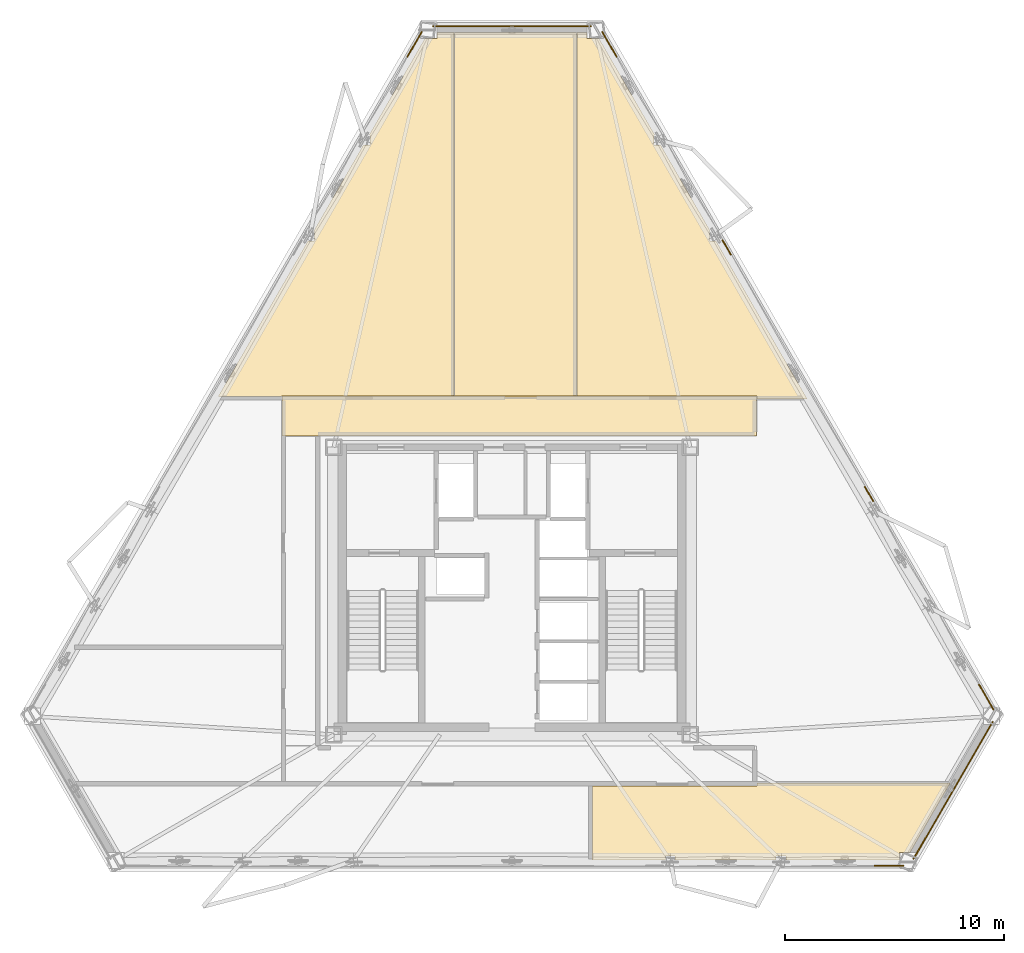
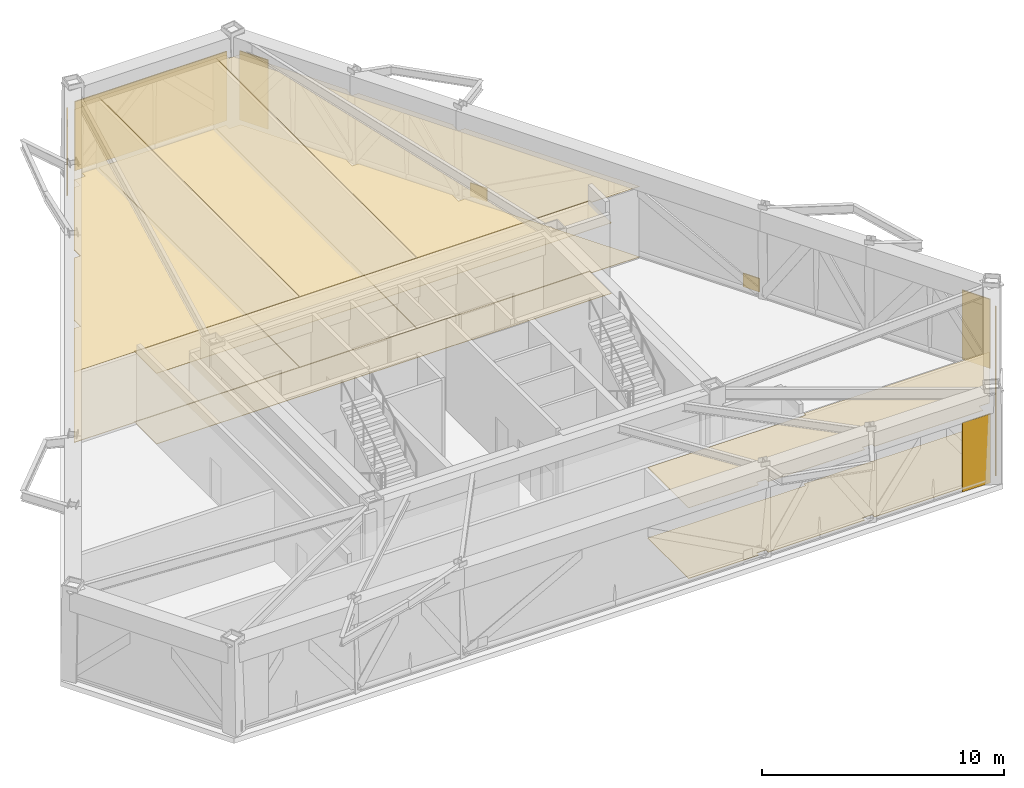
# One storey, part 10 of 10: 18 coverings.
"""IFC4 building model written with IfcOpenShell, lengths in metres."""

from ifc_helpers import new_model, si_unit, direction, frame, origin, origin_2d, place, context, subcontext, project, spatial, polyline, rectangle, outline, extrude, material, layer, layer_set, type_object, element, save


model = new_model("IFC4")

# Units and contexts
model_context = context("Model", 3, precision=1e-05, world=origin(), true_north=direction((0.0, 1.0)))
body_context = subcontext(model_context, "Body", "Model", "MODEL_VIEW")
ifc_project = project(units=[si_unit("LENGTHUNIT", "METRE"), si_unit("AREAUNIT", "SQUARE_METRE"), si_unit("VOLUMEUNIT", "CUBIC_METRE"), si_unit("PLANEANGLEUNIT", "RADIAN"), si_unit("MASSUNIT", "GRAM", prefix="KILO")], contexts=[model_context])

# Site, building, storey
site_placement = place(None, origin())
site = spatial("IfcSite", under=ifc_project, at=site_placement, CompositionType="ELEMENT")
building_placement = place(site_placement, origin())
building = spatial("IfcBuilding", under=site, at=building_placement, Name="Oramaril Tower", CompositionType="ELEMENT")
storey_placement = place(building_placement, frame((0.0, 0.0, 189.0)))
storey = spatial("IfcBuildingStorey", under=building, at=storey_placement, Name="L50", CompositionType="ELEMENT", Elevation=189.0)

# Coverings
ifc_material_1 = material(Name="Mineral Fibre Acoustic Ceiling")
ifc_layer_1 = layer(ifc_material_1, 0.02001953125)
ifc_layer_set_1 = layer_set([ifc_layer_1], Name="CVT-CEIL")
covering_type_1 = type_object("IfcCoveringType", Name="CVT-CEIL", PredefinedType="CEILING", material=ifc_layer_set_1)
covering_1_placement = place(storey_placement, frame((0.0, 0.0, 3.56201171875)))
element("IfcCovering", 1, at=covering_1_placement, inside=storey, type_object=covering_type_1, Name="L50 Acoustic Suspended Ceiling 2", PredefinedType="CEILING", context=body_context, shape_type="SweptSolid", body=[
    extrude(outline(polyline([(48.679931640625, 26.47998046875), (48.679931640625, 24.669921875), (26.969970703125, 24.669921875), (26.969970703125, 26.47998046875), (48.679931640625, 26.47998046875)])), origin(), (0.0, 0.0, 1.0), 0.02001953125),
])
covering_2_placement = place(storey_placement, frame((0.0, 0.0, 3.56201171875)))
element("IfcCovering", 2, at=covering_2_placement, inside=storey, type_object=covering_type_1, Name="L50 Acoustic Suspended Ceiling 5", PredefinedType="CEILING", context=body_context, shape_type="SweptSolid", body=[
    extrude(outline(polyline([(50.039306640625, 5.461181640625), (49.580078125, 5.461181640625), (49.580078125, 5.279296875), (44.96630859375, 5.279296875), (44.96630859375, 5.461181640625), (44.515380859375, 5.461181640625), (44.515380859375, 5.279296875), (41.162109375, 5.279296875), (41.162109375, 8.64990234375), (48.679931640625, 8.64990234375), (48.681884765625, 8.650146484375), (48.683837890625, 8.650390625), (48.685791015625, 8.65087890625), (48.687744140625, 8.651611328125), (48.689453125, 8.65234375), (48.691162109375, 8.6533203125), (48.692626953125, 8.654541015625), (48.694091796875, 8.656005859375), (48.695556640625, 8.6572265625), (48.696533203125, 8.658935546875), (48.697509765625, 8.66064453125), (48.698486328125, 8.662353515625), (48.69921875, 8.664306640625), (48.69970703125, 8.666015625), (48.699951171875, 8.66796875), (48.699951171875, 8.669921875), (48.699951171875, 8.7919921875), (57.55322265625, 8.7919921875), (55.717041015625, 5.61181640625), (55.217529296875, 5.61181640625), (55.217529296875, 5.279296875), (50.039306640625, 5.279296875), (50.039306640625, 5.461181640625)])), origin(), (0.0, 0.0, 1.0), 0.02001953125),
])
covering_3_placement = place(storey_placement, frame((0.0, 0.0, 3.56201171875)))
element("IfcCovering", 3, at=covering_3_placement, inside=storey, type_object=covering_type_1, Name="L50 Acoustic Suspended Ceiling 8", PredefinedType="CEILING", context=body_context, shape_type="SweptSolid", body=[
    extrude(outline(polyline([(28.475341796875, 33.585693359375), (28.475341796875, 34.049560546875), (28.440185546875, 34.049560546875), (30.708984375, 37.97900390625), (31.01171875, 37.97900390625), (31.01171875, 38.435546875), (30.97265625, 38.435546875), (33.520751953125, 42.84912109375), (34.06103515625, 42.84912109375), (34.06103515625, 43.12060546875), (34.842041015625, 43.12060546875), (34.842041015625, 26.5), (26.969970703125, 26.5), (26.968017578125, 26.5), (26.966064453125, 26.49951171875), (26.964111328125, 26.4990234375), (26.96240234375, 26.49853515625), (26.960693359375, 26.49755859375), (26.958984375, 26.49658203125), (26.957275390625, 26.49560546875), (26.955810546875, 26.494140625), (26.95458984375, 26.49267578125), (26.953369140625, 26.4912109375), (26.952392578125, 26.489501953125), (26.951416015625, 26.48779296875), (26.950927734375, 26.48583984375), (26.950439453125, 26.48388671875), (26.9501953125, 26.48193359375), (26.949951171875, 26.47998046875), (26.949951171875, 26.4619140625), (24.059814453125, 26.4619140625), (28.172607421875, 33.585693359375), (28.475341796875, 33.585693359375)])), origin(), (0.0, 0.0, 1.0), 0.02001953125),
])
covering_4_placement = place(storey_placement, frame((0.0, 0.0, 3.56201171875)))
element("IfcCovering", 4, at=covering_4_placement, inside=storey, type_object=covering_type_1, Name="L50 Acoustic Suspended Ceiling 9", PredefinedType="CEILING", context=body_context, shape_type="SweptSolid", body=[
    extrude(outline(polyline([(40.44189453125, 43.12060546875), (40.44189453125, 26.5), (34.862060546875, 26.5), (34.862060546875, 43.12060546875), (40.44189453125, 43.12060546875)])), origin(), (0.0, 0.0, 1.0), 0.02001953125),
])
covering_5_placement = place(storey_placement, frame((0.0, 0.0, 3.56201171875)))
element("IfcCovering", 5, at=covering_5_placement, inside=storey, type_object=covering_type_1, Name="L50 Acoustic Suspended Ceiling 10", PredefinedType="CEILING", context=body_context, shape_type="SweptSolid", body=[
    extrude(outline(polyline([(40.93896484375, 43.12060546875), (40.93896484375, 42.84912109375), (41.479248046875, 42.84912109375), (44.02734375, 38.435546875), (43.98828125, 38.435546875), (43.98828125, 37.97900390625), (44.291015625, 37.97900390625), (46.559814453125, 34.049560546875), (46.524658203125, 34.049560546875), (46.524658203125, 33.585693359375), (46.827392578125, 33.585693359375), (51.00048828125, 26.35791015625), (48.699951171875, 26.35791015625), (48.699951171875, 26.47998046875), (48.699951171875, 26.48193359375), (48.69970703125, 26.48388671875), (48.69921875, 26.48583984375), (48.698486328125, 26.48779296875), (48.697509765625, 26.489501953125), (48.696533203125, 26.4912109375), (48.695556640625, 26.49267578125), (48.694091796875, 26.494140625), (48.692626953125, 26.49560546875), (48.691162109375, 26.49658203125), (48.689453125, 26.49755859375), (48.687744140625, 26.49853515625), (48.685791015625, 26.4990234375), (48.683837890625, 26.49951171875), (48.681884765625, 26.5), (48.679931640625, 26.5), (40.4619140625, 26.5), (40.4619140625, 43.12060546875), (40.93896484375, 43.12060546875)])), origin(), (0.0, 0.0, 1.0), 0.02001953125),
])
ifc_material_2 = material(Name="Warm Cream Limestone", Category="masonry")
ifc_layer_2 = layer(ifc_material_2, 0.050048828125)
ifc_layer_set_2 = layer_set([ifc_layer_2], Name="CVT-CLD")
covering_type_2 = type_object("IfcCoveringType", Name="CVT-CLD", PredefinedType="CLADDING", material=ifc_layer_set_2)
covering_6_placement = place(storey_placement, frame((54.737548828125, 5.00341796875, 0.0400390625), z_axis=(0.0, 0.0, 1.0), x_axis=(1.0, 0.0, 0.0)))
element("IfcCovering", 6, at=covering_6_placement, inside=storey, type_object=covering_type_2, Name="L50 Warm Cream Limestone Cladding", PredefinedType="CLADDING", context=body_context, shape_type="SweptSolid", body=[
    extrude(rectangle(XDim=1.35009765625, YDim=0.050048828125, at=origin_2d()), origin(), (0.0, 0.0, 1.0), 3.489990234375),
])
covering_7_placement = place(storey_placement, frame((57.67529296875, 8.451904296875, 0.0400390625), z_axis=(0.0, 0.0, 1.0), x_axis=(0.4999984885, 0.866026276448, 0.0)))
element("IfcCovering", 7, at=covering_7_placement, inside=storey, type_object=covering_type_2, Name="L50 Warm Cream Limestone Cladding", PredefinedType="CLADDING", context=body_context, shape_type="SweptSolid", body=[
    extrude(rectangle(XDim=7.26953125, YDim=0.050048828125, at=origin_2d()), origin(), (0.0, 0.0, 1.0), 3.489990234375),
])
for number, where, z_axis, x_axis, name in (
    (8, (59.19287109375, 12.72021484375, 0.0400390625), (0.0, 0.0, 1.0), (-0.5, 0.866025403784, 0.0), "L50 Warm Cream Limestone Cladding"),
    (9, (41.955322265625, 42.576416015625, 0.0400390625), (0.0, 0.0, 1.0), (-0.5, 0.866025403784, 0.0), "L50 Warm Cream Limestone Cladding"),
):
    element("IfcCovering", number, at=place(storey_placement, frame(where, z_axis=z_axis, x_axis=x_axis)), inside=storey, type_object=covering_type_2, Name=name, PredefinedType="CLADDING", context=body_context, shape_type="SweptSolid", body=[
        extrude(rectangle(XDim=1.35009765625, YDim=0.050048828125, at=origin_2d()), origin(), (0.0, 0.0, 1.0), 3.489990234375),
    ])
for number, where, z_axis, x_axis, name in (
    (10, (53.829833984375, 22.00927734375, 0.0400390625), (0.0, 0.0, 1.0), (-0.5, 0.866025403784, 0.0), "L50 Warm Cream Limestone Spandrel Cladding"),
    (11, (47.318359375, 33.28759765625, 0.0400390625), (0.0, 0.0, 1.0), (-0.5, 0.866025403784, 0.0), "L50 Warm Cream Limestone Spandrel Cladding"),
):
    element("IfcCovering", number, at=place(storey_placement, frame(where, z_axis=z_axis, x_axis=x_axis)), inside=storey, type_object=covering_type_2, Name=name, PredefinedType="CLADDING", context=body_context, shape_type="SweptSolid", body=[
        extrude(rectangle(XDim=0.800048828125, YDim=0.050048828125, at=origin_2d()), origin(), (0.0, 0.0, 1.0), 0.679931640625),
    ])
covering_8_placement = place(storey_placement, frame((37.5, 43.396484375, 0.0400390625), z_axis=(0.0, 0.0, 1.0), x_axis=(-1.0, 0.0, 0.0)))
element("IfcCovering", 12, at=covering_8_placement, inside=storey, type_object=covering_type_2, Name="L50 Warm Cream Limestone Cladding", PredefinedType="CLADDING", context=body_context, shape_type="SweptSolid", body=[
    extrude(rectangle(XDim=7.26953125, YDim=0.050048828125, at=origin_2d()), origin(), (0.0, 0.0, 1.0), 3.489990234375),
])
covering_9_placement = place(storey_placement, frame((33.044677734375, 42.576416015625, 0.0400390625), z_axis=(0.0, 0.0, 1.0), x_axis=(-0.5, -0.866025403784, 0.0)))
element("IfcCovering", 13, at=covering_9_placement, inside=storey, type_object=covering_type_2, Name="L50 Warm Cream Limestone Cladding", PredefinedType="CLADDING", context=body_context, shape_type="SweptSolid", body=[
    extrude(rectangle(XDim=1.35009765625, YDim=0.050048828125, at=origin_2d()), origin(), (0.0, 0.0, 1.0), 3.489990234375),
])
ifc_material_3 = material(Name="Honed Quartzite Stone Flooring", Category="masonry")
ifc_layer_3 = layer(ifc_material_3, 0.02490234375)
ifc_layer_set_3 = layer_set([ifc_layer_3], Name="CVT-FLR")
covering_type_3 = type_object("IfcCoveringType", Name="CVT-FLR", PredefinedType="FLOORING", material=ifc_layer_set_3)
covering_10_placement = place(storey_placement, origin())
element("IfcCovering", 14, at=covering_10_placement, inside=storey, type_object=covering_type_3, Name="L50 Honed Stone Floor Finish 2", PredefinedType="FLOORING", context=body_context, shape_type="SweptSolid", body=[
    extrude(outline(polyline([(48.679931640625, 26.47998046875), (48.679931640625, 24.669921875), (26.969970703125, 24.669921875), (26.969970703125, 26.47998046875), (48.679931640625, 26.47998046875)])), origin(), (0.0, 0.0, 1.0), 0.02490234375),
])
covering_11_placement = place(storey_placement, origin())
element("IfcCovering", 15, at=covering_11_placement, inside=storey, type_object=covering_type_3, Name="L50 Honed Stone Floor Finish 5", PredefinedType="FLOORING", context=body_context, shape_type="SweptSolid", body=[
    extrude(outline(polyline([(50.039306640625, 5.461181640625), (49.580078125, 5.461181640625), (49.580078125, 5.279296875), (44.96630859375, 5.279296875), (44.96630859375, 5.461181640625), (44.515380859375, 5.461181640625), (44.515380859375, 5.279296875), (41.162109375, 5.279296875), (41.162109375, 8.64990234375), (48.679931640625, 8.64990234375), (48.681884765625, 8.650146484375), (48.683837890625, 8.650390625), (48.685791015625, 8.65087890625), (48.687744140625, 8.651611328125), (48.689453125, 8.65234375), (48.691162109375, 8.6533203125), (48.692626953125, 8.654541015625), (48.694091796875, 8.656005859375), (48.695556640625, 8.6572265625), (48.696533203125, 8.658935546875), (48.697509765625, 8.66064453125), (48.698486328125, 8.662353515625), (48.69921875, 8.664306640625), (48.69970703125, 8.666015625), (48.699951171875, 8.66796875), (48.699951171875, 8.669921875), (48.699951171875, 8.7919921875), (57.55322265625, 8.7919921875), (55.717041015625, 5.61181640625), (55.217529296875, 5.61181640625), (55.217529296875, 5.279296875), (50.039306640625, 5.279296875), (50.039306640625, 5.461181640625)])), origin(), (0.0, 0.0, 1.0), 0.02490234375),
])
covering_12_placement = place(storey_placement, origin())
element("IfcCovering", 16, at=covering_12_placement, inside=storey, type_object=covering_type_3, Name="L50 Honed Stone Floor Finish 8", PredefinedType="FLOORING", context=body_context, shape_type="SweptSolid", body=[
    extrude(outline(polyline([(28.475341796875, 33.585693359375), (28.475341796875, 34.049560546875), (28.440185546875, 34.049560546875), (30.708984375, 37.97900390625), (31.01171875, 37.97900390625), (31.01171875, 38.435546875), (30.97265625, 38.435546875), (33.520751953125, 42.84912109375), (34.06103515625, 42.84912109375), (34.06103515625, 43.12060546875), (34.842041015625, 43.12060546875), (34.842041015625, 26.5), (26.969970703125, 26.5), (26.968017578125, 26.5), (26.966064453125, 26.49951171875), (26.964111328125, 26.4990234375), (26.96240234375, 26.49853515625), (26.960693359375, 26.49755859375), (26.958984375, 26.49658203125), (26.957275390625, 26.49560546875), (26.955810546875, 26.494140625), (26.95458984375, 26.49267578125), (26.953369140625, 26.4912109375), (26.952392578125, 26.489501953125), (26.951416015625, 26.48779296875), (26.950927734375, 26.48583984375), (26.950439453125, 26.48388671875), (26.9501953125, 26.48193359375), (26.949951171875, 26.47998046875), (26.949951171875, 26.4619140625), (24.059814453125, 26.4619140625), (28.172607421875, 33.585693359375), (28.475341796875, 33.585693359375)])), origin(), (0.0, 0.0, 1.0), 0.02490234375),
])
covering_13_placement = place(storey_placement, origin())
element("IfcCovering", 17, at=covering_13_placement, inside=storey, type_object=covering_type_3, Name="L50 Honed Stone Floor Finish 9", PredefinedType="FLOORING", context=body_context, shape_type="SweptSolid", body=[
    extrude(outline(polyline([(40.44189453125, 43.12060546875), (40.44189453125, 26.5), (34.862060546875, 26.5), (34.862060546875, 43.12060546875), (40.44189453125, 43.12060546875)])), origin(), (0.0, 0.0, 1.0), 0.02490234375),
])
covering_14_placement = place(storey_placement, origin())
element("IfcCovering", 18, at=covering_14_placement, inside=storey, type_object=covering_type_3, Name="L50 Honed Stone Floor Finish 10", PredefinedType="FLOORING", context=body_context, shape_type="SweptSolid", body=[
    extrude(outline(polyline([(40.93896484375, 43.12060546875), (40.93896484375, 42.84912109375), (41.479248046875, 42.84912109375), (44.02734375, 38.435546875), (43.98828125, 38.435546875), (43.98828125, 37.97900390625), (44.291015625, 37.97900390625), (46.559814453125, 34.049560546875), (46.524658203125, 34.049560546875), (46.524658203125, 33.585693359375), (46.827392578125, 33.585693359375), (51.00048828125, 26.35791015625), (48.699951171875, 26.35791015625), (48.699951171875, 26.47998046875), (48.699951171875, 26.48193359375), (48.69970703125, 26.48388671875), (48.69921875, 26.48583984375), (48.698486328125, 26.48779296875), (48.697509765625, 26.489501953125), (48.696533203125, 26.4912109375), (48.695556640625, 26.49267578125), (48.694091796875, 26.494140625), (48.692626953125, 26.49560546875), (48.691162109375, 26.49658203125), (48.689453125, 26.49755859375), (48.687744140625, 26.49853515625), (48.685791015625, 26.4990234375), (48.683837890625, 26.49951171875), (48.681884765625, 26.5), (48.679931640625, 26.5), (40.4619140625, 26.5), (40.4619140625, 43.12060546875), (40.93896484375, 43.12060546875)])), origin(), (0.0, 0.0, 1.0), 0.02490234375),
])

save(model, "model.ifc")
